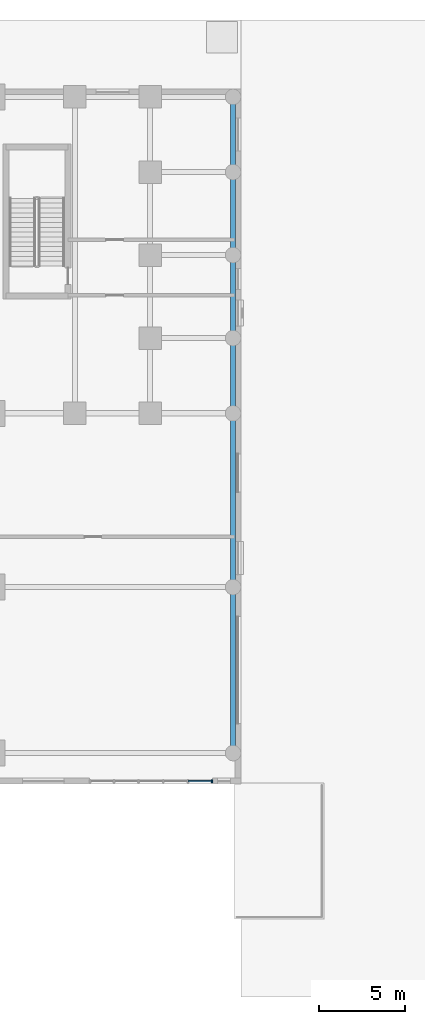
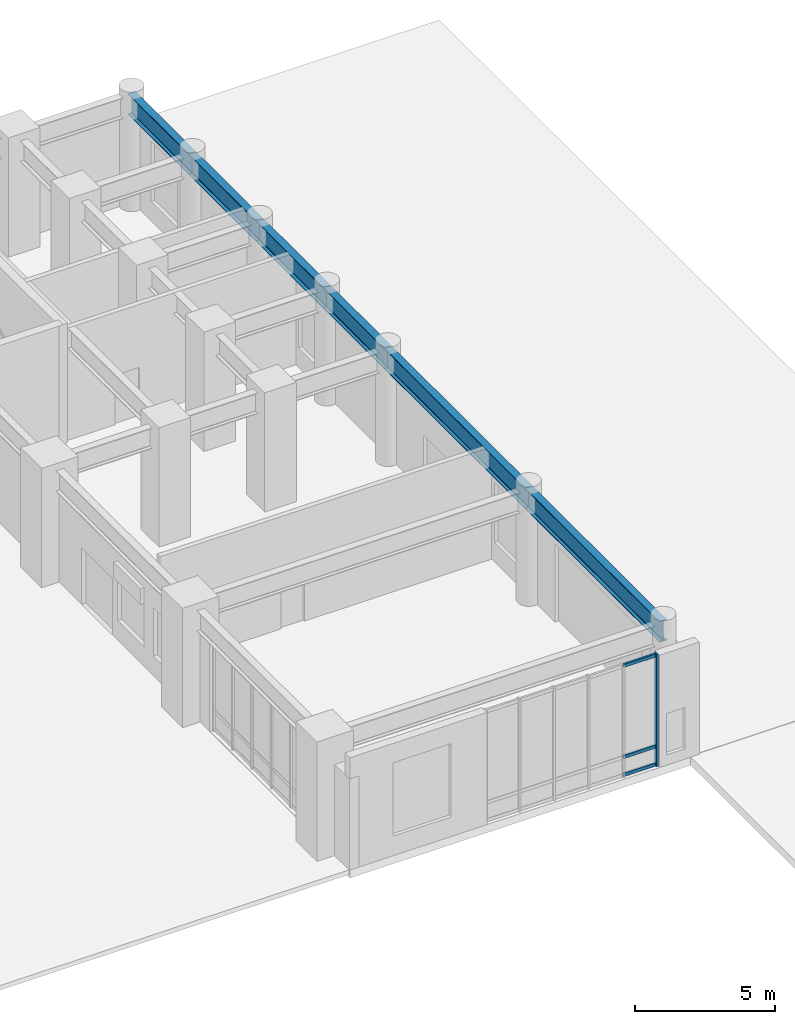
# One storey, part 5 of 16: 6 beams, 4 members, 1 element without a shape of its own.
"""IFC4 building model written with IfcOpenShell, lengths in metres."""

from ifc_helpers import new_model, si_unit, direction, frame, origin, origin_2d, place, context, subcontext, project, spatial, rectangle, i_section, extrude, material, material_profile, profile_set, type_object, element, aggregate, save


model = new_model("IFC4")

# Units and contexts
model_context = context("Model", 3, precision=1e-05, world=origin(), true_north=direction((0.0, 1.0)))
body_context = subcontext(model_context, "Body", "Model", "MODEL_VIEW")
ifc_project = project(units=[si_unit("LENGTHUNIT", "METRE"), si_unit("AREAUNIT", "SQUARE_METRE"), si_unit("VOLUMEUNIT", "CUBIC_METRE"), si_unit("PLANEANGLEUNIT", "RADIAN"), si_unit("MASSUNIT", "GRAM", prefix="KILO")], contexts=[model_context])

# Site, building, storey
site_placement = place(None, origin())
site = spatial("IfcSite", under=ifc_project, at=site_placement, CompositionType="ELEMENT")
building_placement = place(site_placement, origin())
building = spatial("IfcBuilding", under=site, at=building_placement, Name="Orvandelia Arch Residences", CompositionType="ELEMENT")
storey_placement = place(building_placement, origin())
storey = spatial("IfcBuildingStorey", under=building, at=storey_placement, Name="L00", CompositionType="ELEMENT", Elevation=0.0)

# Beams
ifc_material_1 = material(Name="Structural Steel HSA650 (650 MPa)", Category="steel")
ifc_material_profile_1 = material_profile(ifc_material_1, i_section(OverallWidth=0.300048828125, OverallDepth=0.89990234375, WebThickness=0.01611328125, FlangeThickness=0.028076171875, FilletRadius=0.028076171875, at=origin_2d()), Name="Structural Steel HSA650 (650 MPa)", Category="steel")
ifc_profile_set_1 = profile_set([ifc_material_profile_1], Name="Structural Steel HSA650 (650 MPa)")
beam_type = type_object("IfcBeamType", Name="BM-GRD-H900", PredefinedType="BEAM", material=ifc_profile_set_1)
beam_1_placement = place(storey_placement, frame((57.14990234375, 9.60009765625, 4.43994140625), z_axis=(0.0, 1.0, 0.0), x_axis=(-1.0, 0.0, 0.0)))
element("IfcBeam", 1, at=beam_1_placement, inside=storey, type_object=beam_type, Name="Structural Frame Beam L00-NS-030", PredefinedType="BEAM", context=body_context, shape_type="SweptSolid", body=[
    extrude(i_section(OverallWidth=0.300048828125, OverallDepth=0.89990234375, WebThickness=0.01611328125, FlangeThickness=0.028076171875, FilletRadius=0.028076171875, at=origin_2d()), origin(), (0.0, 0.0, 1.0), 9.599853515625),
])
beam_2_placement = place(storey_placement, frame((57.14990234375, 19.199951171875, 4.43994140625), z_axis=(0.0, 1.0, 0.0), x_axis=(-1.0, 0.0, 0.0)))
element("IfcBeam", 2, at=beam_2_placement, inside=storey, type_object=beam_type, Name="Structural Frame Beam L00-NS-031", PredefinedType="BEAM", context=body_context, shape_type="SweptSolid", body=[
    extrude(i_section(OverallWidth=0.300048828125, OverallDepth=0.89990234375, WebThickness=0.01611328125, FlangeThickness=0.028076171875, FilletRadius=0.028076171875, at=origin_2d()), origin(), (0.0, 0.0, 1.0), 10.050048828125),
])
beam_3_placement = place(storey_placement, frame((57.14990234375, 29.25, 4.43994140625), z_axis=(0.0, 1.0, 0.0), x_axis=(-1.0, 0.0, 0.0)))
element("IfcBeam", 3, at=beam_3_placement, inside=storey, type_object=beam_type, Name="Structural Frame Beam L00-NS-032", PredefinedType="BEAM", context=body_context, shape_type="SweptSolid", body=[
    extrude(i_section(OverallWidth=0.300048828125, OverallDepth=0.89990234375, WebThickness=0.01611328125, FlangeThickness=0.028076171875, FilletRadius=0.028076171875, at=origin_2d()), origin(), (0.0, 0.0, 1.0), 4.35009765625),
])
beam_4_placement = place(storey_placement, frame((57.14990234375, 33.60009765625, 4.43994140625), z_axis=(0.0, 1.0, 0.0), x_axis=(-1.0, 0.0, 0.0)))
element("IfcBeam", 4, at=beam_4_placement, inside=storey, type_object=beam_type, Name="Structural Frame Beam L00-NS-033", PredefinedType="BEAM", context=body_context, shape_type="SweptSolid", body=[
    extrude(i_section(OverallWidth=0.300048828125, OverallDepth=0.89990234375, WebThickness=0.01611328125, FlangeThickness=0.028076171875, FilletRadius=0.028076171875, at=origin_2d()), origin(), (0.0, 0.0, 1.0), 4.7998046875),
])
beam_5_placement = place(storey_placement, frame((57.14990234375, 38.39990234375, 4.43994140625), z_axis=(0.0, 1.0, 0.0), x_axis=(-1.0, 0.0, 0.0)))
element("IfcBeam", 5, at=beam_5_placement, inside=storey, type_object=beam_type, Name="Structural Frame Beam L00-NS-034", PredefinedType="BEAM", context=body_context, shape_type="SweptSolid", body=[
    extrude(i_section(OverallWidth=0.300048828125, OverallDepth=0.89990234375, WebThickness=0.01611328125, FlangeThickness=0.028076171875, FilletRadius=0.028076171875, at=origin_2d()), origin(), (0.0, 0.0, 1.0), 4.800048828125),
])
beam_6_placement = place(storey_placement, frame((57.14990234375, 43.199951171875, 4.43994140625), z_axis=(0.0, 1.0, 0.0), x_axis=(-1.0, 0.0, 0.0)))
element("IfcBeam", 6, at=beam_6_placement, inside=storey, type_object=beam_type, Name="Structural Frame Beam L00-NS-035", PredefinedType="BEAM", context=body_context, shape_type="SweptSolid", body=[
    extrude(i_section(OverallWidth=0.300048828125, OverallDepth=0.89990234375, WebThickness=0.01611328125, FlangeThickness=0.028076171875, FilletRadius=0.028076171875, at=origin_2d()), origin(), (0.0, 0.0, 1.0), 4.35009765625),
])

# Curtain wall, members
ifc_material_2 = material(Name="Anodised Bronze Curtain Wall Assembly")
curtain_wall_type = type_object("IfcCurtainWallType", Name="CW-SYS1-PODIUM", PredefinedType="NOTDEFINED", material=ifc_material_2)
curtain_wall_placement = place(storey_placement, origin())
curtain_wall = element("IfcCurtainWall", 7, at=curtain_wall_placement, inside=storey, type_object=curtain_wall_type, Name="East Flagship Storefront Curtain Wall 4", PredefinedType="NOTDEFINED")
ifc_material_3 = material(Name="Anodised Aluminium Alloy 6063-T6", Category="aluminium")
ifc_material_profile_2 = material_profile(ifc_material_3, rectangle(XDim=0.080078125, YDim=0.179931640625, at=origin_2d()), Name="Anodised Aluminium Alloy 6063-T6", Category="aluminium")
ifc_profile_set_2 = profile_set([ifc_material_profile_2], Name="Anodised Aluminium Alloy 6063-T6")
member_type_1 = type_object("IfcMemberType", Name="CW-MULLION-80x160", PredefinedType="MULLION", material=ifc_profile_set_2)
member_1_placement = place(storey_placement, frame((55.919921875, 7.97998046875, 0.0), z_axis=(0.0, 0.0, 1.0), x_axis=(1.0, 0.0, 0.0)))
member_1 = element("IfcMember", 8, at=member_1_placement, type_object=member_type_1, Name="Curtain Wall Mullion CW-L00-4-M6", PredefinedType="MULLION", context=body_context, shape_type="SweptSolid", body=[
    extrude(rectangle(XDim=0.080078125, YDim=0.179931640625, at=origin_2d()), origin(), (0.0, 0.0, 1.0), 4.889892578125),
])
ifc_material_profile_3 = material_profile(ifc_material_3, rectangle(XDim=0.080078125, YDim=0.139892578125, at=origin_2d()), Name="Anodised Aluminium Alloy 6063-T6", Category="aluminium")
ifc_profile_set_3 = profile_set([ifc_material_profile_3], Name="Anodised Aluminium Alloy 6063-T6")
member_type_2 = type_object("IfcMemberType", Name="CW-TRANSOM-80x140", PredefinedType="USERDEFINED", material=ifc_profile_set_3)
member_2_placement = place(storey_placement, frame((54.56103515625, 7.97998046875, 0.070068359375), z_axis=(1.0, 0.0, 0.0), x_axis=(0.0, 1.0, 0.0)))
member_2 = element("IfcMember", 9, at=member_2_placement, type_object=member_type_2, Name="Curtain Wall Transom CW-L00-4-T5-1", ObjectType="TRANSOM", PredefinedType="USERDEFINED", context=body_context, shape_type="SweptSolid", body=[
    extrude(rectangle(XDim=0.080078125, YDim=0.139892578125, at=origin_2d()), origin(), (0.0, 0.0, 1.0), 1.333984375),
])
member_3_placement = place(storey_placement, frame((54.56103515625, 7.97998046875, 0.85009765625), z_axis=(1.0, 0.0, 0.0), x_axis=(0.0, 1.0, 0.0)))
member_3 = element("IfcMember", 10, at=member_3_placement, type_object=member_type_2, Name="Curtain Wall Transom CW-L00-4-T5-2", ObjectType="TRANSOM", PredefinedType="USERDEFINED", context=body_context, shape_type="SweptSolid", body=[
    extrude(rectangle(XDim=0.080078125, YDim=0.139892578125, at=origin_2d()), origin(), (0.0, 0.0, 1.0), 1.333984375),
])
member_4_placement = place(storey_placement, frame((54.56103515625, 7.97998046875, 4.820068359375), z_axis=(1.0, 0.0, 0.0), x_axis=(0.0, 1.0, 0.0)))
member_4 = element("IfcMember", 11, at=member_4_placement, type_object=member_type_2, Name="Curtain Wall Transom CW-L00-4-T5-3", ObjectType="TRANSOM", PredefinedType="USERDEFINED", context=body_context, shape_type="SweptSolid", body=[
    extrude(rectangle(XDim=0.080078125, YDim=0.139892578125, at=origin_2d()), origin(), (0.0, 0.0, 1.0), 1.333984375),
])
aggregate(curtain_wall, [member_1, member_2, member_3, member_4])

save(model, "model.ifc")
